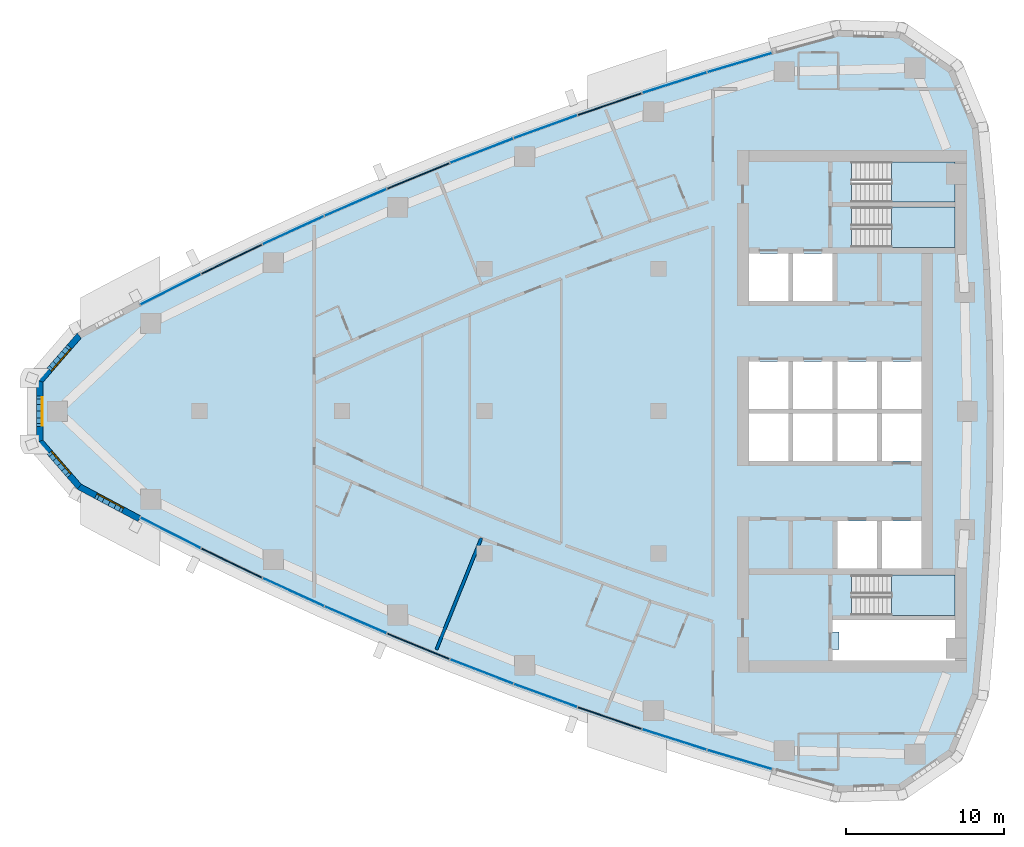
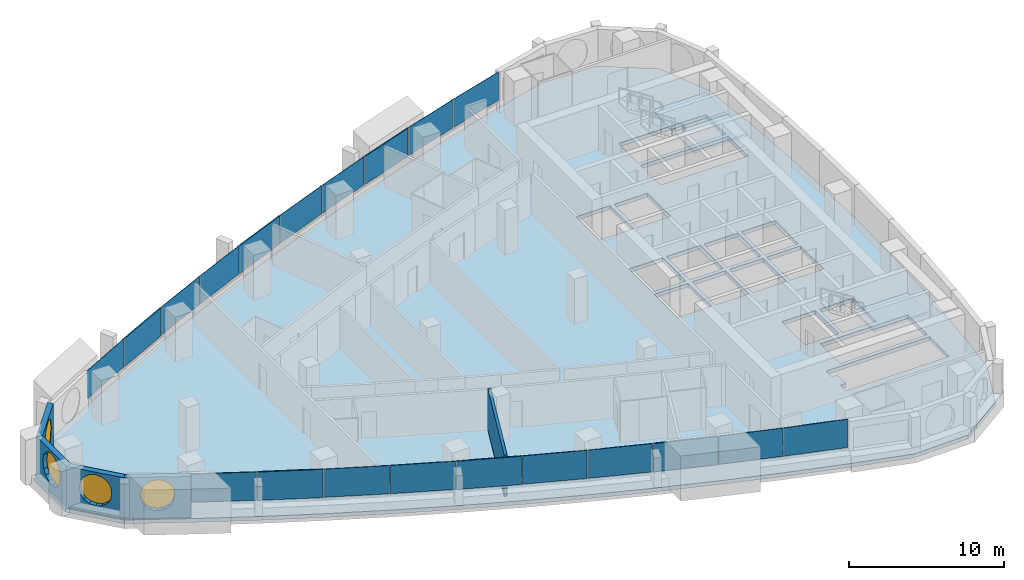
# One storey, part 8 of 16: 20 plates, 5 walls, 4 slabs, 4 windows, 5 openings, 13 elements without a shape of their own.
"""IFC4 building model written with IfcOpenShell, lengths in metres."""

from ifc_helpers import new_model, si_unit, direction, frame, frame_2d, origin, origin_2d, place, context, subcontext, project, spatial, polyline, rectangle, outline, extrude, material, layer, layer_set, type_object, element, fill, aggregate, save


model = new_model("IFC4")

# Units and contexts
model_context = context("Model", 3, precision=1e-05, world=origin(), true_north=direction((0.0, 1.0)))
body_context = subcontext(model_context, "Body", "Model", "MODEL_VIEW")
ifc_project = project(units=[si_unit("LENGTHUNIT", "METRE"), si_unit("AREAUNIT", "SQUARE_METRE"), si_unit("VOLUMEUNIT", "CUBIC_METRE"), si_unit("PLANEANGLEUNIT", "RADIAN"), si_unit("MASSUNIT", "GRAM", prefix="KILO")], contexts=[model_context])

# Site, building, storey
site_placement = place(None, origin())
site = spatial("IfcSite", under=ifc_project, at=site_placement, CompositionType="ELEMENT")
building_placement = place(site_placement, origin())
building = spatial("IfcBuilding", under=site, at=building_placement, Name="Ostrand Prow Hotel Tower", CompositionType="ELEMENT")
storey_placement = place(building_placement, frame((0.0, 0.0, 189.699951171875)))
storey = spatial("IfcBuildingStorey", under=building, at=storey_placement, Name="L47", CompositionType="ELEMENT", Elevation=189.699951171875)

# Curtain wall, plate
ifc_material_1 = material(Name="Insulated glass in bronze anodised frame", Category="glass")
ifc_layer_1 = layer(ifc_material_1, 0.199951171875)
ifc_layer_set_1 = layer_set([ifc_layer_1], Name="Insulated glass in bronze anodised frame")
curtain_wall_type = type_object("IfcCurtainWallType", Name="Strip curtain wall, fritted glass over bronze spandrel", PredefinedType="NOTDEFINED", material=ifc_layer_set_1)
curtain_wall_1_placement = place(storey_placement, origin())
curtain_wall_1 = element("IfcCurtainWall", 1, at=curtain_wall_1_placement, inside=storey, type_object=curtain_wall_type, Name="CW1 run CWS1", PredefinedType="NOTDEFINED")
ifc_material_2 = material(Name="Ceramic-fritted glass", Category="glass")
ifc_layer_2 = layer(ifc_material_2, 0.031982421875)
ifc_layer_set_2 = layer_set([ifc_layer_2], Name="Ceramic-fritted glass")
plate_type_1 = type_object("IfcPlateType", Name="Dot-fritted ceramic glass unit 32 mm", PredefinedType="CURTAIN_PANEL", material=ifc_layer_set_2)
plate_1_placement = place(storey_placement, frame((14.17529296875, -7.6865234375, 1.02001953125), z_axis=(0.0, 0.0, 1.0), x_axis=(0.891683792196, -0.452658828186, 0.0)))
plate_1 = element("IfcPlate", 2, at=plate_1_placement, type_object=plate_type_1, Name="CW1 PN-D panel 1.2", PredefinedType="CURTAIN_PANEL", context=body_context, shape_type="SweptSolid", body=[
    extrude(rectangle(XDim=4.2451171875, YDim=0.031982421875, at=origin_2d()), origin(), (0.0, 0.0, 1.0), 2.22998046875),
])

# Curtain wall, plates
curtain_wall_2_placement = place(storey_placement, origin())
curtain_wall_2 = element("IfcCurtainWall", 3, at=curtain_wall_2_placement, inside=storey, type_object=curtain_wall_type, Name="CW1 run CWS2", PredefinedType="NOTDEFINED")
plate_2_placement = place(storey_placement, frame((21.928955078125, -11.428466796875, 1.02001953125), z_axis=(0.0, 0.0, 1.0), x_axis=(0.909184517226, -0.416393460127, 0.0)))
plate_2 = element("IfcPlate", 4, at=plate_2_placement, type_object=plate_type_1, Name="CW1 PN-D panel 1.2", PredefinedType="CURTAIN_PANEL", context=body_context, shape_type="SweptSolid", body=[
    extrude(rectangle(XDim=4.2451171875, YDim=0.031982421875, at=origin_2d()), origin(), (0.0, 0.0, 1.0), 2.22998046875),
])
plate_3_placement = place(storey_placement, frame((25.860595703125, -13.181396484375, 1.02001953125), z_axis=(0.0, 0.0, 1.0), x_axis=(0.917383388347, -0.398004671812, 0.0)))
plate_3 = element("IfcPlate", 5, at=plate_3_placement, type_object=plate_type_1, Name="CW1 PN-D panel 2.2", PredefinedType="CURTAIN_PANEL", context=body_context, shape_type="SweptSolid", body=[
    extrude(rectangle(XDim=4.2451171875, YDim=0.031982421875, at=origin_2d()), origin(), (0.0, 0.0, 1.0), 2.22998046875),
])
aggregate(curtain_wall_2, [plate_2, plate_3])

# Curtain wall, plate
curtain_wall_3_placement = place(storey_placement, origin())
curtain_wall_3 = element("IfcCurtainWall", 6, at=curtain_wall_3_placement, inside=storey, type_object=curtain_wall_type, Name="CW1 run CWS3", PredefinedType="NOTDEFINED")
plate_4_placement = place(storey_placement, frame((33.826171875, -16.4482421875, 1.02001953125), z_axis=(0.0, 0.0, 1.0), x_axis=(0.932662950972, -0.360748970732, 0.0)))
plate_4 = element("IfcPlate", 7, at=plate_4_placement, type_object=plate_type_1, Name="CW1 PN-D panel 2.2", PredefinedType="CURTAIN_PANEL", context=body_context, shape_type="SweptSolid", body=[
    extrude(rectangle(XDim=4.2451171875, YDim=0.031982421875, at=origin_2d()), origin(), (0.0, 0.0, 1.0), 2.22998046875),
])

curtain_wall_4_placement = place(storey_placement, origin())
curtain_wall_4 = element("IfcCurtainWall", 8, at=curtain_wall_4_placement, inside=storey, type_object=curtain_wall_type, Name="CW1 run CWS4", PredefinedType="NOTDEFINED")
plate_5_placement = place(storey_placement, frame((37.8564453125, -17.960693359375, 1.02001953125), z_axis=(0.0, 0.0, 1.0), x_axis=(0.939737383067, -0.341897134919, 0.0)))
plate_5 = element("IfcPlate", 9, at=plate_5_placement, type_object=plate_type_1, Name="CW1 PN-D panel 1.2", PredefinedType="CURTAIN_PANEL", context=body_context, shape_type="SweptSolid", body=[
    extrude(rectangle(XDim=4.2451171875, YDim=0.031982421875, at=origin_2d()), origin(), (0.0, 0.0, 1.0), 2.22998046875),
])

# Curtain wall, plates
curtain_wall_5_placement = place(storey_placement, origin())
curtain_wall_5 = element("IfcCurtainWall", 10, at=curtain_wall_5_placement, inside=storey, type_object=curtain_wall_type, Name="CW1 run CWS5", PredefinedType="NOTDEFINED")
plate_6_placement = place(storey_placement, frame((46.00439453125, -20.74072265625, 1.02001953125), z_axis=(0.0, 0.0, 1.0), x_axis=(0.952739983864, -0.303786970008, 0.0)))
plate_6 = element("IfcPlate", 11, at=plate_6_placement, type_object=plate_type_1, Name="CW1 PN-D panel 1.2", PredefinedType="CURTAIN_PANEL", context=body_context, shape_type="SweptSolid", body=[
    extrude(rectangle(XDim=4.2451171875, YDim=0.031982421875, at=origin_2d()), origin(), (0.0, 0.0, 1.0), 2.22998046875),
])
plate_7_placement = place(storey_placement, frame((50.118896484375, -22.007080078125, 1.02001953125), z_axis=(0.0, 0.0, 1.0), x_axis=(0.958662947758, -0.284544113619, 0.0)))
plate_7 = element("IfcPlate", 12, at=plate_7_placement, type_object=plate_type_1, Name="CW1 PN-D panel 2.2", PredefinedType="CURTAIN_PANEL", context=body_context, shape_type="SweptSolid", body=[
    extrude(rectangle(XDim=4.2451171875, YDim=0.031982421875, at=origin_2d()), origin(), (0.0, 0.0, 1.0), 2.22998046875),
])
aggregate(curtain_wall_5, [plate_6, plate_7])

curtain_wall_6_placement = place(storey_placement, origin())
curtain_wall_6 = element("IfcCurtainWall", 13, at=curtain_wall_6_placement, inside=storey, type_object=curtain_wall_type, Name="CW1 run CWN1", PredefinedType="NOTDEFINED")
plate_8_placement = place(storey_placement, frame((50.118896484375, 22.007080078125, 1.02001953125), z_axis=(0.0, 0.0, 1.0), x_axis=(-0.958662947758, -0.284544113619, 0.0)))
plate_8 = element("IfcPlate", 14, at=plate_8_placement, type_object=plate_type_1, Name="CW1 PN-D panel 1.2", PredefinedType="CURTAIN_PANEL", context=body_context, shape_type="SweptSolid", body=[
    extrude(rectangle(XDim=4.2451171875, YDim=0.031982421875, at=origin_2d()), origin(), (0.0, 0.0, 1.0), 2.22998046875),
])
plate_9_placement = place(storey_placement, frame((46.00439453125, 20.74072265625, 1.02001953125), z_axis=(0.0, 0.0, 1.0), x_axis=(-0.952739983864, -0.303786970008, 0.0)))
plate_9 = element("IfcPlate", 15, at=plate_9_placement, type_object=plate_type_1, Name="CW1 PN-D panel 2.2", PredefinedType="CURTAIN_PANEL", context=body_context, shape_type="SweptSolid", body=[
    extrude(rectangle(XDim=4.2451171875, YDim=0.031982421875, at=origin_2d()), origin(), (0.0, 0.0, 1.0), 2.22998046875),
])
aggregate(curtain_wall_6, [plate_8, plate_9])

# Curtain wall, plate
curtain_wall_7_placement = place(storey_placement, origin())
curtain_wall_7 = element("IfcCurtainWall", 16, at=curtain_wall_7_placement, inside=storey, type_object=curtain_wall_type, Name="CW1 run CWN2", PredefinedType="NOTDEFINED")
plate_10_placement = place(storey_placement, frame((37.8564453125, 17.960693359375, 1.02001953125), z_axis=(0.0, 0.0, 1.0), x_axis=(-0.939737383067, -0.341897134919, 0.0)))
plate_10 = element("IfcPlate", 17, at=plate_10_placement, type_object=plate_type_1, Name="CW1 PN-D panel 2.2", PredefinedType="CURTAIN_PANEL", context=body_context, shape_type="SweptSolid", body=[
    extrude(rectangle(XDim=4.2451171875, YDim=0.031982421875, at=origin_2d()), origin(), (0.0, 0.0, 1.0), 2.22998046875),
])

curtain_wall_8_placement = place(storey_placement, origin())
curtain_wall_8 = element("IfcCurtainWall", 18, at=curtain_wall_8_placement, inside=storey, type_object=curtain_wall_type, Name="CW1 run CWN3", PredefinedType="NOTDEFINED")
plate_11_placement = place(storey_placement, frame((33.826171875, 16.4482421875, 1.02001953125), z_axis=(0.0, 0.0, 1.0), x_axis=(-0.932662950972, -0.360748970732, 0.0)))
plate_11 = element("IfcPlate", 19, at=plate_11_placement, type_object=plate_type_1, Name="CW1 PN-D panel 1.2", PredefinedType="CURTAIN_PANEL", context=body_context, shape_type="SweptSolid", body=[
    extrude(rectangle(XDim=4.2451171875, YDim=0.031982421875, at=origin_2d()), origin(), (0.0, 0.0, 1.0), 2.22998046875),
])

# Curtain wall, plates
curtain_wall_9_placement = place(storey_placement, origin())
curtain_wall_9 = element("IfcCurtainWall", 20, at=curtain_wall_9_placement, inside=storey, type_object=curtain_wall_type, Name="CW1 run CWN4", PredefinedType="NOTDEFINED")
plate_12_placement = place(storey_placement, frame((25.860595703125, 13.181396484375, 1.02001953125), z_axis=(0.0, 0.0, 1.0), x_axis=(-0.917383388347, -0.398004671812, 0.0)))
plate_12 = element("IfcPlate", 21, at=plate_12_placement, type_object=plate_type_1, Name="CW1 PN-D panel 1.2", PredefinedType="CURTAIN_PANEL", context=body_context, shape_type="SweptSolid", body=[
    extrude(rectangle(XDim=4.2451171875, YDim=0.031982421875, at=origin_2d()), origin(), (0.0, 0.0, 1.0), 2.22998046875),
])
plate_13_placement = place(storey_placement, frame((21.928955078125, 11.428466796875, 1.02001953125), z_axis=(0.0, 0.0, 1.0), x_axis=(-0.909184517226, -0.416393460127, 0.0)))
plate_13 = element("IfcPlate", 22, at=plate_13_placement, type_object=plate_type_1, Name="CW1 PN-D panel 2.2", PredefinedType="CURTAIN_PANEL", context=body_context, shape_type="SweptSolid", body=[
    extrude(rectangle(XDim=4.2451171875, YDim=0.031982421875, at=origin_2d()), origin(), (0.0, 0.0, 1.0), 2.22998046875),
])
aggregate(curtain_wall_9, [plate_12, plate_13])

# Curtain wall, plate
curtain_wall_10_placement = place(storey_placement, origin())
curtain_wall_10 = element("IfcCurtainWall", 23, at=curtain_wall_10_placement, inside=storey, type_object=curtain_wall_type, Name="CW1 run CWN5", PredefinedType="NOTDEFINED")
plate_14_placement = place(storey_placement, frame((14.17529296875, 7.6865234375, 1.02001953125), z_axis=(0.0, 0.0, 1.0), x_axis=(-0.891683792196, -0.452658828186, 0.0)))
plate_14 = element("IfcPlate", 24, at=plate_14_placement, type_object=plate_type_1, Name="CW1 PN-D panel 2.2", PredefinedType="CURTAIN_PANEL", context=body_context, shape_type="SweptSolid", body=[
    extrude(rectangle(XDim=4.2451171875, YDim=0.031982421875, at=origin_2d()), origin(), (0.0, 0.0, 1.0), 2.22998046875),
])

# Plate
ifc_material_3 = material(Name="Fritted glass in bronze vent frame", Category="glass")
ifc_layer_3 = layer(ifc_material_3, 0.080078125)
ifc_layer_set_3 = layer_set([ifc_layer_3], Name="Fritted glass in bronze vent frame")
plate_type_2 = type_object("IfcPlateType", Name="Operable vent panel 80 mm", PredefinedType="CURTAIN_PANEL", material=ifc_layer_set_3)
plate_15_placement = place(storey_placement, frame((18.033203125, -9.596435546875, 1.02001953125), z_axis=(0.0, 0.0, 1.0), x_axis=(0.90061633232, -0.434615027304, 0.0)))
plate_15 = element("IfcPlate", 25, at=plate_15_placement, type_object=plate_type_2, Name="CW1 PN-O2 panel 2.2", PredefinedType="CURTAIN_PANEL", context=body_context, shape_type="SweptSolid", body=[
    extrude(rectangle(XDim=4.2451171875, YDim=0.080078125, at=origin_2d()), origin(), (0.0, 0.0, 1.0), 2.22998046875),
])

aggregate(curtain_wall_1, [plate_1, plate_15])

plate_16_placement = place(storey_placement, frame((29.826904296875, -14.85498046875, 1.02001953125), z_axis=(0.0, 0.0, 1.0), x_axis=(0.925211042932, -0.379452929936, 0.0)))
plate_16 = element("IfcPlate", 26, at=plate_16_placement, type_object=plate_type_2, Name="CW1 PN-O2 panel 1.2", PredefinedType="CURTAIN_PANEL", context=body_context, shape_type="SweptSolid", body=[
    extrude(rectangle(XDim=4.2451171875, YDim=0.080078125, at=origin_2d()), origin(), (0.0, 0.0, 1.0), 2.22998046875),
])

aggregate(curtain_wall_3, [plate_16, plate_4])

plate_17_placement = place(storey_placement, frame((41.91650390625, -19.3916015625, 1.02001953125), z_axis=(0.0, 0.0, 1.0), x_axis=(0.946430245113, -0.322908332404, 0.0)))
plate_17 = element("IfcPlate", 27, at=plate_17_placement, type_object=plate_type_2, Name="CW1 PN-O2 panel 2.2", PredefinedType="CURTAIN_PANEL", context=body_context, shape_type="SweptSolid", body=[
    extrude(rectangle(XDim=4.2451171875, YDim=0.080078125, at=origin_2d()), origin(), (0.0, 0.0, 1.0), 2.22998046875),
])

aggregate(curtain_wall_4, [plate_5, plate_17])

plate_18_placement = place(storey_placement, frame((41.91650390625, 19.3916015625, 1.02001953125), z_axis=(0.0, 0.0, 1.0), x_axis=(-0.946430245113, -0.322908332404, 0.0)))
plate_18 = element("IfcPlate", 28, at=plate_18_placement, type_object=plate_type_2, Name="CW1 PN-O2 panel 1.2", PredefinedType="CURTAIN_PANEL", context=body_context, shape_type="SweptSolid", body=[
    extrude(rectangle(XDim=4.2451171875, YDim=0.080078125, at=origin_2d()), origin(), (0.0, 0.0, 1.0), 2.22998046875),
])

aggregate(curtain_wall_7, [plate_18, plate_10])

plate_19_placement = place(storey_placement, frame((29.826904296875, 14.85498046875, 1.02001953125), z_axis=(0.0, 0.0, 1.0), x_axis=(-0.925211042932, -0.379452929936, 0.0)))
plate_19 = element("IfcPlate", 29, at=plate_19_placement, type_object=plate_type_2, Name="CW1 PN-O2 panel 2.2", PredefinedType="CURTAIN_PANEL", context=body_context, shape_type="SweptSolid", body=[
    extrude(rectangle(XDim=4.2451171875, YDim=0.080078125, at=origin_2d()), origin(), (0.0, 0.0, 1.0), 2.22998046875),
])

aggregate(curtain_wall_8, [plate_11, plate_19])

plate_20_placement = place(storey_placement, frame((18.033203125, 9.596435546875, 1.02001953125), z_axis=(0.0, 0.0, 1.0), x_axis=(-0.90061633232, -0.434615027304, 0.0)))
plate_20 = element("IfcPlate", 30, at=plate_20_placement, type_object=plate_type_2, Name="CW1 PN-O2 panel 1.2", PredefinedType="CURTAIN_PANEL", context=body_context, shape_type="SweptSolid", body=[
    extrude(rectangle(XDim=4.2451171875, YDim=0.080078125, at=origin_2d()), origin(), (0.0, 0.0, 1.0), 2.22998046875),
])

aggregate(curtain_wall_10, [plate_20, plate_14])

# Slab, opening
ifc_material_4 = material(Name="Concrete C40/50", Category="concrete")
ifc_layer_4 = layer(ifc_material_4, 0.300048828125)
ifc_layer_set_4 = layer_set([ifc_layer_4], Name="Concrete C40/50")
slab_type_1 = type_object("IfcSlabType", Name="PT flat plate 300 C40/50", PredefinedType="FLOOR", material=ifc_layer_set_4)
slab_1_placement = place(storey_placement, frame((0.0, 0.0, -0.300048828125)))
slab_1 = element("IfcSlab", 31, at=slab_1_placement, inside=storey, type_object=slab_type_1, Name="Floor slab L47-1", PredefinedType="FLOOR", context=body_context, shape_type="SweptSolid", body=[
    extrude(outline(polyline([(8.22216796875, 5.025634765625), (12.06689453125, 7.07568359375), (15.912841796875, 9.0283203125), (19.797607421875, 10.90283203125), (23.718994140625, 12.698974609375), (27.676025390625, 14.41552734375), (31.666748046875, 16.05224609375), (35.689697265625, 17.6083984375), (39.7431640625, 19.0830078125), (43.8251953125, 20.475830078125), (47.934814453125, 21.7861328125), (52.06982421875, 23.013427734375), (56.26220703125, 24.16650390625), (60.3349609375, 24.0498046875), (63.721435546875, 21.719482421875), (65.2861328125, 17.957275390625), (65.70947265625, 13.453369140625), (66.009765625, 8.974365234375), (66.18994140625, 4.48876953125), (66.25, 0.0), (66.18994140625, -4.48876953125), (66.009765625, -8.974365234375), (65.70947265625, -13.453369140625), (65.2861328125, -17.957275390625), (63.721435546875, -21.719482421875), (60.3349609375, -24.0498046875), (56.26220703125, -24.16650390625), (52.06982421875, -23.013427734375), (47.934814453125, -21.7861328125), (43.8251953125, -20.475830078125), (39.7431640625, -19.0830078125), (35.689697265625, -17.6083984375), (31.666748046875, -16.05224609375), (27.676025390625, -14.41552734375), (23.718994140625, -12.698974609375), (19.797607421875, -10.90283203125), (15.912841796875, -9.0283203125), (12.06689453125, -7.07568359375), (8.22216796875, -5.025634765625), (5.614013671875, -2.014892578125), (5.614013671875, 2.014892578125), (8.22216796875, 5.025634765625)]), holes=[polyline([(50.699951171875, 6.949951171875), (53.199951171875, 6.949951171875), (53.199951171875, 9.949951171875), (50.699951171875, 9.949951171875), (50.699951171875, 6.949951171875)]), polyline([(53.5, 6.949951171875), (56.0, 6.949951171875), (56.0, 9.949951171875), (53.5, 9.949951171875), (53.5, 6.949951171875)]), polyline([(50.699951171875, 0.14990234375), (53.199951171875, 0.14990234375), (53.199951171875, 3.14990234375), (50.699951171875, 3.14990234375), (50.699951171875, 0.14990234375)]), polyline([(53.5, 0.14990234375), (56.0, 0.14990234375), (56.0, 3.14990234375), (53.5, 3.14990234375), (53.5, 0.14990234375)]), polyline([(56.300048828125, 0.14990234375), (58.800048828125, 0.14990234375), (58.800048828125, 3.14990234375), (56.300048828125, 3.14990234375), (56.300048828125, 0.14990234375)]), polyline([(59.10009765625, 0.14990234375), (61.60009765625, 0.14990234375), (61.60009765625, 3.14990234375), (59.10009765625, 3.14990234375), (59.10009765625, 0.14990234375)]), polyline([(50.699951171875, -3.14990234375), (53.199951171875, -3.14990234375), (53.199951171875, -0.14990234375), (50.699951171875, -0.14990234375), (50.699951171875, -3.14990234375)]), polyline([(53.5, -3.14990234375), (56.0, -3.14990234375), (56.0, -0.14990234375), (53.5, -0.14990234375), (53.5, -3.14990234375)]), polyline([(56.300048828125, -3.14990234375), (58.800048828125, -3.14990234375), (58.800048828125, -0.14990234375), (56.300048828125, -0.14990234375), (56.300048828125, -3.14990234375)]), polyline([(59.10009765625, -3.14990234375), (61.60009765625, -3.14990234375), (61.60009765625, -0.14990234375), (59.10009765625, -0.14990234375), (59.10009765625, -3.14990234375)]), polyline([(56.300048828125, -9.949951171875), (58.800048828125, -9.949951171875), (58.800048828125, -6.949951171875), (56.300048828125, -6.949951171875), (56.300048828125, -9.949951171875)]), polyline([(59.10009765625, -9.949951171875), (61.60009765625, -9.949951171875), (61.60009765625, -6.949951171875), (59.10009765625, -6.949951171875), (59.10009765625, -9.949951171875)]), polyline([(57.200927734375, 10.35107421875), (57.200927734375, 12.89892578125), (63.718994140625, 12.89892578125), (63.718994140625, 10.35107421875), (57.200927734375, 10.35107421875)]), polyline([(57.200927734375, 13.200927734375), (57.200927734375, 15.7490234375), (63.718994140625, 15.7490234375), (63.718994140625, 13.200927734375), (57.200927734375, 13.200927734375)]), polyline([(57.200927734375, -12.89892578125), (57.200927734375, -10.35107421875), (63.718994140625, -10.35107421875), (63.718994140625, -12.89892578125), (57.200927734375, -12.89892578125)]), polyline([(63.719970703125, -13.199951171875), (63.719970703125, -15.75), (56.0, -15.75), (56.0, -15.050048828125), (56.39990234375, -15.050048828125), (56.39990234375, -13.949951171875), (56.0, -13.949951171875), (56.0, -13.199951171875), (63.719970703125, -13.199951171875)])]), origin(), (0.0, 0.0, 1.0), 0.300048828125),
])
opening_1_placement = place(slab_1_placement, origin())
element("IfcOpeningElement", 32, at=opening_1_placement, cuts=slab_1, Name="Shaft opening 1", PredefinedType="OPENING", context=body_context, shape_type="SweptSolid", body=[
    extrude(outline(polyline([(63.719970703125, -13.199951171875), (63.719970703125, -15.75), (56.0, -15.75), (56.0, -15.050048828125), (56.39990234375, -15.050048828125), (56.39990234375, -13.949951171875), (56.0, -13.949951171875), (56.0, -13.199951171875), (63.719970703125, -13.199951171875)])), origin(), (0.0, 0.0, 1.0), 0.300048828125),
])

# Stair, slab
ifc_material_5 = material(Name="Concrete C40/50", Category="concrete")
stair_type = type_object("IfcStairType", Name="Exit stair 1200 upper zone", PredefinedType="HALF_TURN_STAIR", material=ifc_material_5)
stair_1_placement = place(storey_placement, origin())
stair_1 = element("IfcStair", 33, at=stair_1_placement, inside=storey, type_object=stair_type, Name="L47 ST1C", PredefinedType="HALF_TURN_STAIR")
ifc_material_6 = material(Name="Concrete C40/50", Category="concrete")
ifc_layer_5 = layer(ifc_material_6, 0.199951171875)
ifc_layer_set_5 = layer_set([ifc_layer_5], Name="Concrete C40/50")
slab_type_2 = type_object("IfcSlabType", Name="Stair landing 200 concrete", PredefinedType="LANDING", material=ifc_layer_set_5)
slab_2_placement = place(storey_placement, frame((0.0, 0.0, 1.574951171875)))
slab_2 = element("IfcSlab", 34, at=slab_2_placement, type_object=slab_type_2, Name="ST1C landing 1", PredefinedType="LANDING", context=body_context, shape_type="SweptSolid", body=[
    extrude(outline(polyline([(59.719970703125, 10.35009765625), (63.719970703125, 10.35009765625), (63.719970703125, 12.89990234375), (59.719970703125, 12.89990234375), (59.719970703125, 10.35009765625)])), origin(), (0.0, 0.0, 1.0), 0.2001953125),
])
aggregate(stair_1, [slab_2])

stair_2_placement = place(storey_placement, origin())
stair_2 = element("IfcStair", 35, at=stair_2_placement, inside=storey, type_object=stair_type, Name="L47 ST3C", PredefinedType="HALF_TURN_STAIR")
slab_3_placement = place(storey_placement, frame((0.0, 0.0, 1.574951171875)))
slab_3 = element("IfcSlab", 36, at=slab_3_placement, type_object=slab_type_2, Name="ST3C landing 1", PredefinedType="LANDING", context=body_context, shape_type="SweptSolid", body=[
    extrude(outline(polyline([(59.719970703125, 13.199951171875), (63.719970703125, 13.199951171875), (63.719970703125, 15.75), (59.719970703125, 15.75), (59.719970703125, 13.199951171875)])), origin(), (0.0, 0.0, 1.0), 0.2001953125),
])
aggregate(stair_2, [slab_3])

stair_3_placement = place(storey_placement, origin())
stair_3 = element("IfcStair", 37, at=stair_3_placement, inside=storey, type_object=stair_type, Name="L47 ST2C", PredefinedType="HALF_TURN_STAIR")
slab_4_placement = place(storey_placement, frame((0.0, 0.0, 1.574951171875)))
slab_4 = element("IfcSlab", 38, at=slab_4_placement, type_object=slab_type_2, Name="ST2C landing 1", PredefinedType="LANDING", context=body_context, shape_type="SweptSolid", body=[
    extrude(outline(polyline([(59.719970703125, -12.89990234375), (63.719970703125, -12.89990234375), (63.719970703125, -10.35009765625), (59.719970703125, -10.35009765625), (59.719970703125, -12.89990234375)])), origin(), (0.0, 0.0, 1.0), 0.2001953125),
])
aggregate(stair_3, [slab_4])

# Wall
ifc_material_7 = material(Name="Plasterboard partition")
ifc_layer_6 = layer(ifc_material_7, 0.199951171875)
ifc_layer_set_6 = layer_set([ifc_layer_6], Name="Plasterboard partition")
wall_type_1 = type_object("IfcWallType", Name="Partition 200 key partition", PredefinedType="PARTITIONING", material=ifc_layer_set_6)
wall_1_placement = place(storey_placement, frame((30.967041015625, -15.062744140625, 0.0), z_axis=(0.0, 0.0, 1.0), x_axis=(0.373887223455, 0.927474174378, 0.0)))
element("IfcWall", 39, at=wall_1_placement, inside=storey, type_object=wall_type_1, Name="KEY PARTITION", PredefinedType="PARTITIONING", context=body_context, shape_type="SweptSolid", body=[
    extrude(rectangle(XDim=7.60009765625, YDim=0.199951171875, at=frame_2d((3.800048828125, 0.0))), origin(), (0.0, 0.0, 1.0), 3.25),
])

# Wall, opening, window
ifc_material_8 = material(Name="Precast concrete C40/50", Category="concrete")
ifc_layer_7 = layer(ifc_material_8, 0.39990234375)
ifc_layer_set_7 = layer_set([ifc_layer_7], Name="Precast concrete C40/50")
wall_type_2 = type_object("IfcWallType", Name="Stone-faced precast wall 400 mm", PredefinedType="NOTDEFINED", material=ifc_layer_set_7)
wall_2_placement = place(storey_placement, frame((8.4091796875, 4.7744140625, 0.0), z_axis=(0.0, 0.0, 1.0), x_axis=(-0.654759384203, -0.755837382509, 0.0)))
wall_2 = element("IfcWall", 40, at=wall_2_placement, inside=storey, type_object=wall_type_2, Name="Stone-faced wall prow 2", PredefinedType="NOTDEFINED", context=body_context, shape_type="SweptSolid", body=[
    extrude(outline(polyline([(-0.037109375, -0.199951171875), (3.87646484375, -0.199951171875), (3.72705078125, 0.199951171875), (0.037109375, 0.199951171875), (-0.037109375, -0.199951171875)])), origin(), (0.0, 0.0, 1.0), 3.25),
])
opening_2_placement = place(wall_2_placement, frame((0.80078125, 0.0, 0.60009765625)))
opening_2 = element("IfcOpeningElement", 41, at=opening_2_placement, cuts=wall_2, Name="Opening WP1", PredefinedType="OPENING", context=body_context, shape_type="SweptSolid", body=[
    extrude(outline(polyline([(0.0, 1.35009765625), (0.083740234375, 1.77099609375), (0.322265625, 2.127685546875), (0.678955078125, 2.3662109375), (1.10009765625, 2.449951171875), (1.52099609375, 2.3662109375), (1.877685546875, 2.127685546875), (2.1162109375, 1.77099609375), (2.199951171875, 1.35009765625), (2.199951171875, 1.10009765625), (2.1162109375, 0.678955078125), (1.877685546875, 0.322265625), (1.52099609375, 0.083740234375), (1.10009765625, 0.0), (0.678955078125, 0.083740234375), (0.322265625, 0.322265625), (0.083740234375, 0.678955078125), (0.0, 1.099853515625), (0.0, 1.35009765625)])), frame((0.0, 0.2099609375, 0.0), z_axis=(0.0, -1.0, 0.0), x_axis=(1.0, 0.0, 0.0)), (0.0, 0.0, 1.0), 0.419921875),
])
ifc_material_9 = material(Name="Insulated glass in bronze frame", Category="glass")
window_type = type_object("IfcWindowType", Name="Round-ended prow window 2200x2450", PartitioningType="SINGLE_PANEL", PredefinedType="WINDOW", material=ifc_material_9)
window_1_placement = place(opening_2_placement, origin())
window_1 = element("IfcWindow", 42, at=window_1_placement, inside=storey, type_object=window_type, Name="Window prow 2.1", OverallHeight=2.449951171875, OverallWidth=2.199951171875, PartitioningType="SINGLE_PANEL", PredefinedType="WINDOW", context=body_context, shape_type="SweptSolid", body=[
    extrude(outline(polyline([(0.0, 1.35009765625), (0.083740234375, 1.77099609375), (0.322265625, 2.127685546875), (0.678955078125, 2.3662109375), (1.10009765625, 2.449951171875), (1.52099609375, 2.3662109375), (1.877685546875, 2.127685546875), (2.1162109375, 1.77099609375), (2.199951171875, 1.35009765625), (2.199951171875, 1.10009765625), (2.1162109375, 0.678955078125), (1.877685546875, 0.322265625), (1.52099609375, 0.083740234375), (1.10009765625, 0.0), (0.678955078125, 0.083740234375), (0.322265625, 0.322265625), (0.083740234375, 0.678955078125), (0.0, 1.099853515625), (0.0, 1.35009765625)])), frame((0.0, 0.169921875, 0.0), z_axis=(0.0, -1.0, 0.0), x_axis=(1.0, 0.0, 0.0)), (0.0, 0.0, 1.0), 0.06005859375),
])
fill(opening_2, window_1)

wall_3_placement = place(storey_placement, frame((5.919921875, 1.90087890625, 0.0), z_axis=(0.0, 0.0, 1.0), x_axis=(0.0, -1.0, 0.0)))
wall_3 = element("IfcWall", 43, at=wall_3_placement, inside=storey, type_object=wall_type_2, Name="Stone-faced wall prow 3", PredefinedType="NOTDEFINED", context=body_context, shape_type="SweptSolid", body=[
    extrude(outline(polyline([(-0.07470703125, -0.199951171875), (3.87646484375, -0.199951171875), (3.72705078125, 0.199951171875), (0.07470703125, 0.199951171875), (-0.07470703125, -0.199951171875)])), origin(), (0.0, 0.0, 1.0), 3.25),
])
opening_3_placement = place(wall_3_placement, frame((0.80078125, 0.0, 0.60009765625)))
opening_3 = element("IfcOpeningElement", 44, at=opening_3_placement, cuts=wall_3, Name="Opening WP1", PredefinedType="OPENING", context=body_context, shape_type="SweptSolid", body=[
    extrude(outline(polyline([(0.0, 1.35009765625), (0.083740234375, 1.77099609375), (0.322265625, 2.127685546875), (0.678955078125, 2.3662109375), (1.10009765625, 2.449951171875), (1.52099609375, 2.3662109375), (1.877685546875, 2.127685546875), (2.1162109375, 1.77099609375), (2.199951171875, 1.35009765625), (2.199951171875, 1.10009765625), (2.1162109375, 0.678955078125), (1.877685546875, 0.322265625), (1.52099609375, 0.083740234375), (1.10009765625, 0.0), (0.678955078125, 0.083740234375), (0.322265625, 0.322265625), (0.083740234375, 0.678955078125), (0.0, 1.099853515625), (0.0, 1.35009765625)])), frame((0.0, 0.2099609375, 0.0), z_axis=(0.0, -1.0, 0.0), x_axis=(1.0, 0.0, 0.0)), (0.0, 0.0, 1.0), 0.419921875),
])
window_2_placement = place(opening_3_placement, origin())
window_2 = element("IfcWindow", 45, at=window_2_placement, inside=storey, type_object=window_type, Name="Window prow 3.1", OverallHeight=2.449951171875, OverallWidth=2.199951171875, PartitioningType="SINGLE_PANEL", PredefinedType="WINDOW", context=body_context, shape_type="SweptSolid", body=[
    extrude(outline(polyline([(0.0, 1.35009765625), (0.083740234375, 1.77099609375), (0.322265625, 2.127685546875), (0.678955078125, 2.3662109375), (1.10009765625, 2.449951171875), (1.52099609375, 2.3662109375), (1.877685546875, 2.127685546875), (2.1162109375, 1.77099609375), (2.199951171875, 1.35009765625), (2.199951171875, 1.10009765625), (2.1162109375, 0.678955078125), (1.877685546875, 0.322265625), (1.52099609375, 0.083740234375), (1.10009765625, 0.0), (0.678955078125, 0.083740234375), (0.322265625, 0.322265625), (0.083740234375, 0.678955078125), (0.0, 1.099853515625), (0.0, 1.35009765625)])), frame((0.0, 0.169921875, 0.0), z_axis=(0.0, -1.0, 0.0), x_axis=(1.0, 0.0, 0.0)), (0.0, 0.0, 1.0), 0.06005859375),
])
fill(opening_3, window_2)

wall_4_placement = place(storey_placement, frame((5.919921875, -1.90087890625, 0.0), z_axis=(0.0, 0.0, 1.0), x_axis=(0.654759384203, -0.755837382509, 0.0)))
wall_4 = element("IfcWall", 46, at=wall_4_placement, inside=storey, type_object=wall_type_2, Name="Stone-faced wall prow 4", PredefinedType="NOTDEFINED", context=body_context, shape_type="SweptSolid", body=[
    extrude(outline(polyline([(-0.07470703125, -0.199951171875), (3.8388671875, -0.199951171875), (3.7646484375, 0.199951171875), (0.07470703125, 0.199951171875), (-0.07470703125, -0.199951171875)])), origin(), (0.0, 0.0, 1.0), 3.25),
])
opening_4_placement = place(wall_4_placement, frame((0.80078125, 0.0, 0.60009765625)))
opening_4 = element("IfcOpeningElement", 47, at=opening_4_placement, cuts=wall_4, Name="Opening WP1", PredefinedType="OPENING", context=body_context, shape_type="SweptSolid", body=[
    extrude(outline(polyline([(0.0, 1.35009765625), (0.083740234375, 1.77099609375), (0.322265625, 2.127685546875), (0.678955078125, 2.3662109375), (1.10009765625, 2.449951171875), (1.52099609375, 2.3662109375), (1.877685546875, 2.127685546875), (2.1162109375, 1.77099609375), (2.199951171875, 1.35009765625), (2.199951171875, 1.10009765625), (2.1162109375, 0.678955078125), (1.877685546875, 0.322265625), (1.52099609375, 0.083740234375), (1.10009765625, 0.0), (0.678955078125, 0.083740234375), (0.322265625, 0.322265625), (0.083740234375, 0.678955078125), (0.0, 1.099853515625), (0.0, 1.35009765625)])), frame((0.0, 0.2099609375, 0.0), z_axis=(0.0, -1.0, 0.0), x_axis=(1.0, 0.0, 0.0)), (0.0, 0.0, 1.0), 0.419921875),
])
window_3_placement = place(opening_4_placement, origin())
window_3 = element("IfcWindow", 48, at=window_3_placement, inside=storey, type_object=window_type, Name="Window prow 4.1", OverallHeight=2.449951171875, OverallWidth=2.199951171875, PartitioningType="SINGLE_PANEL", PredefinedType="WINDOW", context=body_context, shape_type="SweptSolid", body=[
    extrude(outline(polyline([(0.0, 1.35009765625), (0.083740234375, 1.77099609375), (0.322265625, 2.127685546875), (0.678955078125, 2.3662109375), (1.10009765625, 2.449951171875), (1.52099609375, 2.3662109375), (1.877685546875, 2.127685546875), (2.1162109375, 1.77099609375), (2.199951171875, 1.35009765625), (2.199951171875, 1.10009765625), (2.1162109375, 0.678955078125), (1.877685546875, 0.322265625), (1.52099609375, 0.083740234375), (1.10009765625, 0.0), (0.678955078125, 0.083740234375), (0.322265625, 0.322265625), (0.083740234375, 0.678955078125), (0.0, 1.099853515625), (0.0, 1.35009765625)])), frame((0.0, 0.169921875, 0.0), z_axis=(0.0, -1.0, 0.0), x_axis=(1.0, 0.0, 0.0)), (0.0, 0.0, 1.0), 0.06005859375),
])
fill(opening_4, window_3)

wall_5_placement = place(storey_placement, frame((8.4091796875, -4.7744140625, 0.0), z_axis=(0.0, 0.0, 1.0), x_axis=(0.882385889746, -0.470526451518, 0.0)))
wall_5 = element("IfcWall", 49, at=wall_5_placement, inside=storey, type_object=wall_type_2, Name="Stone-faced wall prow 5", PredefinedType="NOTDEFINED", context=body_context, shape_type="SweptSolid", body=[
    extrude(outline(polyline([(-0.037109375, -0.199951171875), (4.30712890625, -0.199951171875), (4.30712890625, 0.199951171875), (0.037109375, 0.199951171875), (-0.037109375, -0.199951171875)])), origin(), (0.0, 0.0, 1.0), 3.25),
])
opening_5_placement = place(wall_5_placement, frame((1.053466796875, 0.0, 0.60009765625)))
opening_5 = element("IfcOpeningElement", 50, at=opening_5_placement, cuts=wall_5, Name="Opening WP1", PredefinedType="OPENING", context=body_context, shape_type="SweptSolid", body=[
    extrude(outline(polyline([(0.0, 1.35009765625), (0.083740234375, 1.77099609375), (0.322265625, 2.127685546875), (0.678955078125, 2.3662109375), (1.10009765625, 2.449951171875), (1.52099609375, 2.3662109375), (1.877685546875, 2.127685546875), (2.1162109375, 1.77099609375), (2.199951171875, 1.35009765625), (2.199951171875, 1.10009765625), (2.1162109375, 0.678955078125), (1.877685546875, 0.322265625), (1.52099609375, 0.083740234375), (1.10009765625, 0.0), (0.678955078125, 0.083740234375), (0.322265625, 0.322265625), (0.083740234375, 0.678955078125), (0.0, 1.099853515625), (0.0, 1.35009765625)])), frame((0.0, 0.2099609375, 0.0), z_axis=(0.0, -1.0, 0.0), x_axis=(1.0, 0.0, 0.0)), (0.0, 0.0, 1.0), 0.419921875),
])
window_4_placement = place(opening_5_placement, origin())
window_4 = element("IfcWindow", 51, at=window_4_placement, inside=storey, type_object=window_type, Name="Window prow 5.1", OverallHeight=2.449951171875, OverallWidth=2.199951171875, PartitioningType="SINGLE_PANEL", PredefinedType="WINDOW", context=body_context, shape_type="SweptSolid", body=[
    extrude(outline(polyline([(0.0, 1.35009765625), (0.083740234375, 1.77099609375), (0.322265625, 2.127685546875), (0.678955078125, 2.3662109375), (1.10009765625, 2.449951171875), (1.52099609375, 2.3662109375), (1.877685546875, 2.127685546875), (2.1162109375, 1.77099609375), (2.199951171875, 1.35009765625), (2.199951171875, 1.10009765625), (2.1162109375, 0.678955078125), (1.877685546875, 0.322265625), (1.52099609375, 0.083740234375), (1.10009765625, 0.0), (0.678955078125, 0.083740234375), (0.322265625, 0.322265625), (0.083740234375, 0.678955078125), (0.0, 1.099853515625), (0.0, 1.35009765625)])), frame((0.0, 0.169921875, 0.0), z_axis=(0.0, -1.0, 0.0), x_axis=(1.0, 0.0, 0.0)), (0.0, 0.0, 1.0), 0.06005859375),
])
fill(opening_5, window_4)

save(model, "model.ifc")
